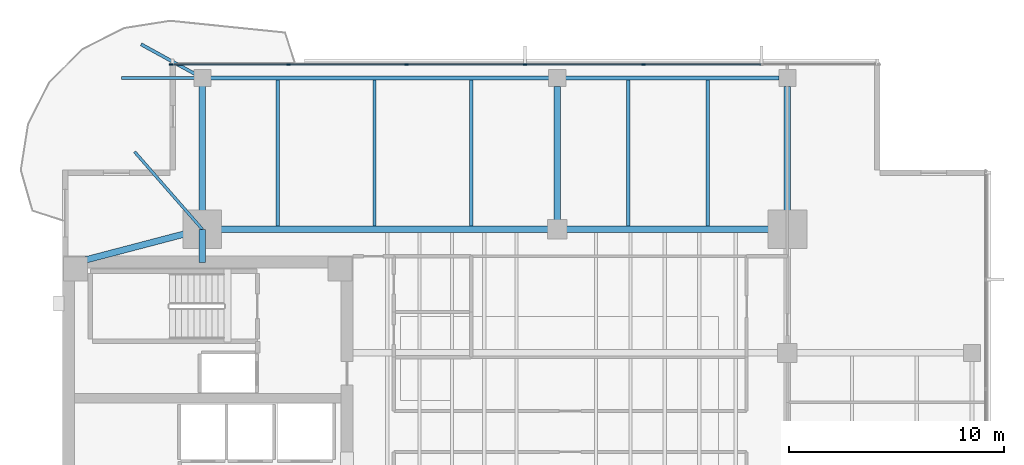
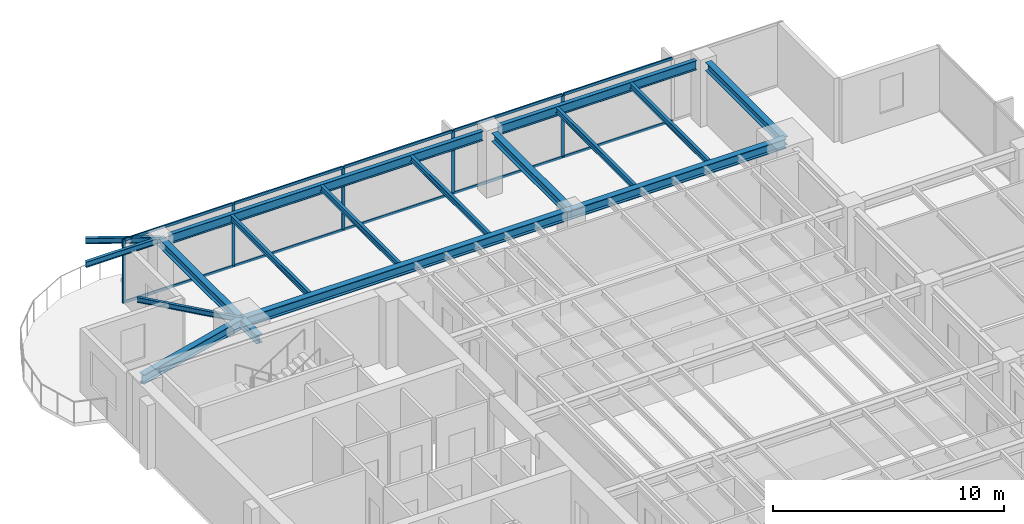
# One storey, part 5 of 14: 17 beams, 15 members, 1 element without a shape of its own.
"""IFC4 building model written with IfcOpenShell, lengths in metres."""

import ifcopenshell
import ifcopenshell.guid

model = None  # the IFC model being written
_history = None  # IfcOwnerHistory: only IFC2X3 demands one
_inside = {}  # id of a spatial element -> (the spatial element, [elements in it])
_under = {}  # id of a project, library or spatial element -> (it, [spatial elements below it])
_declared = {}  # id of a project -> (the project, [libraries it declares])
_typed = {}  # id of a type object -> (the type object, [elements of that type])
_made_of = {}  # id of a material, layer set ... -> (it, [elements and type objects made of it])


def new_model(schema):
    """Start an empty IFC model of exactly this schema.

    Asked for "IFC4X3", IfcOpenShell would pick the latest addendum, in which some entities
    have other attributes; the version numbers below select the first issue.
    IFC2X3 requires an IfcOwnerHistory on every rooted entity: one is made here for all.
    """
    global model, _history
    if schema == "IFC4X3":
        model = ifcopenshell.file(schema_version=(4, 3, 0, 0))
    else:
        model = ifcopenshell.file(schema=schema)
    _inside.clear()
    _under.clear()
    _declared.clear()
    _typed.clear()
    _made_of.clear()
    _history = None
    if model.schema == "IFC2X3":
        org = make("IfcOrganization", Name="unknown")
        user = make(
            "IfcPersonAndOrganization",
            ThePerson=make("IfcPerson", FamilyName="unknown"),
            TheOrganization=org,
        )
        app = make(
            "IfcApplication",
            ApplicationDeveloper=org,
            Version="unknown",
            ApplicationFullName="unknown",
            ApplicationIdentifier="unknown",
        )
        _history = make(
            "IfcOwnerHistory",
            OwningUser=user,
            OwningApplication=app,
            ChangeAction="ADDED",
            CreationDate=0,
        )
    return model


def make(cls, **values):
    """One entity of the class cls with the attributes given. An attribute that is None is left unset."""
    return model.create_entity(
        cls, **{name: value for name, value in values.items() if value is not None}
    )


def rooted(cls, **values):
    """An entity with a GlobalId (a new one), such as an element, a storey or a relation."""
    return make(cls, GlobalId=ifcopenshell.guid.new(), OwnerHistory=_history, **values)


def si_unit(unit_type, name, prefix=None):
    """IfcSIUnit, for example si_unit("LENGTHUNIT", "METRE", prefix="MILLI")."""
    return make("IfcSIUnit", UnitType=unit_type, Prefix=prefix, Name=name)


def assignment(units):
    """IfcUnitAssignment: the units of a project."""
    return None if units is None else make("IfcUnitAssignment", Units=units)


def point(xyz):
    """IfcCartesianPoint."""
    return None if xyz is None else make("IfcCartesianPoint", Coordinates=xyz)


def direction(xyz):
    """IfcDirection."""
    return None if xyz is None else make("IfcDirection", DirectionRatios=xyz)


def frame(location, z_axis=None, x_axis=None):
    """IfcAxis2Placement3D, a coordinate frame: its origin and axes. An axis left out is left unset."""
    return make(
        "IfcAxis2Placement3D",
        Location=point(location),
        Axis=direction(z_axis),
        RefDirection=direction(x_axis),
    )


def frame_2d(location, x_axis=None):
    """IfcAxis2Placement2D, a coordinate frame in the plane: its origin and x axis."""
    return make(
        "IfcAxis2Placement2D", Location=point(location), RefDirection=direction(x_axis)
    )


def origin():
    """The frame at (0, 0, 0) with its axes left unset."""
    return frame((0.0, 0.0, 0.0))


def origin_2d():
    """The frame at (0, 0) in the plane with its x axis left unset."""
    return frame_2d((0.0, 0.0))


def place(relative_to, where):
    """IfcLocalPlacement: puts the frame where relative to a parent placement (None: the world)."""
    return make(
        "IfcLocalPlacement", PlacementRelTo=relative_to, RelativePlacement=where
    )


def context(
    kind, dimensions, precision=None, world=None, true_north=None, identifier=None
):
    """IfcGeometricRepresentationContext, for example the 3D "Model" context."""
    return make(
        "IfcGeometricRepresentationContext",
        ContextIdentifier=identifier,
        ContextType=kind,
        CoordinateSpaceDimension=dimensions,
        Precision=precision,
        WorldCoordinateSystem=world,
        TrueNorth=true_north,
    )


def subcontext(parent, identifier, kind, view, scale=None):
    """IfcGeometricRepresentationSubContext, for example "Body" below "Model"."""
    return make(
        "IfcGeometricRepresentationSubContext",
        ContextIdentifier=identifier,
        ContextType=kind,
        ParentContext=parent,
        TargetScale=scale,
        TargetView=view,
    )


def project(units=None, contexts=None):
    """IfcProject with its units and contexts."""
    return rooted(
        "IfcProject",
        Name="project",
        RepresentationContexts=contexts,
        UnitsInContext=assignment(units),
    )


def spatial(cls, under=None, at=None, **own):
    """A site, building, storey or space (cls), placed at a placement, below another one or the project."""
    s = rooted(cls, ObjectPlacement=at, **own)
    if under is not None:
        _under.setdefault(under.id(), (under, []))[1].append(s)
    return s


def profile(cls, at=None, kind="AREA", **sizes):
    """A parametric profile (cls). Its sizes go by their IFC names, for example OverallWidth=200.0."""
    return make(cls, ProfileType=kind, Position=at, **sizes)


def rectangle(**sizes):
    """IfcRectangleProfileDef."""
    return profile("IfcRectangleProfileDef", **sizes)


def i_section(**sizes):
    """IfcIShapeProfileDef."""
    return profile("IfcIShapeProfileDef", **sizes)


def extrude(swept, where, along, depth):
    """IfcExtrudedAreaSolid: the profile swept, set in the frame where, extruded along a direction by depth."""
    return make(
        "IfcExtrudedAreaSolid",
        SweptArea=swept,
        Position=where,
        ExtrudedDirection=direction(along),
        Depth=depth,
    )


def shape(context_of_items, identifier, shape_type, items):
    """IfcShapeRepresentation: the items that make up one representation, for example the "Body"."""
    return make(
        "IfcShapeRepresentation",
        ContextOfItems=context_of_items,
        RepresentationIdentifier=identifier,
        RepresentationType=shape_type,
        Items=items,
    )


def material(Name=None, Category=None):
    """IfcMaterial."""
    return make("IfcMaterial", Name=Name, Category=Category)


def layer(
    of_material, thickness, ventilated=None, Name=None, Category=None, Priority=None
):
    """IfcMaterialLayer: one layer of a wall or slab, of a material (None: an air gap)."""
    return make(
        "IfcMaterialLayer",
        Material=of_material,
        LayerThickness=thickness,
        IsVentilated=ventilated,
        Name=Name,
        Category=Category,
        Priority=Priority,
    )


def layer_set(layers, Name=None):
    """IfcMaterialLayerSet."""
    return make("IfcMaterialLayerSet", MaterialLayers=layers, LayerSetName=Name)


def material_profile(
    of_material, cross_section, Name=None, Category=None, Priority=None
):
    """IfcMaterialProfile: a cross section and its material."""
    return make(
        "IfcMaterialProfile",
        Name=Name,
        Material=of_material,
        Profile=cross_section,
        Priority=Priority,
        Category=Category,
    )


def profile_set(profiles, Name=None, composite=None):
    """IfcMaterialProfileSet."""
    return make(
        "IfcMaterialProfileSet",
        Name=Name,
        MaterialProfiles=profiles,
        CompositeProfile=composite,
    )


def made_of(thing, what):
    """Note that an element or type object is made of a material, layer set ...; save() writes the relation."""
    if what is not None:
        _made_of.setdefault(what.id(), (what, []))[1].append(thing)
    return thing


def type_object(cls, material=None, **own):
    """A type object (cls), such as IfcWallType, which elements share."""
    return made_of(rooted(cls, **own), material)


def element(
    cls,
    number,
    at=None,
    inside=None,
    cuts=None,
    type_object=None,
    material=None,
    context=None,
    identifier="Body",
    shape_type=None,
    held_by="IfcProductDefinitionShape",
    body=None,
    shapes=None,
    **own,
):
    """One element of the class cls, such as IfcWall. Its Tag is "e" and its number.

    at: its placement. inside: the storey or other place that contains it. cuts: it is an
    opening in that element (IfcRelVoidsElement). A single representation is given by context,
    identifier, shape_type and body (its items); several are given by shapes. held_by: the class
    of the entity that holds the representations. save() writes the other relations.
    """
    e = rooted(cls, Tag="e%d" % number, ObjectPlacement=at, **own)
    if body is not None:
        shapes = [shape(context, identifier, shape_type, body)]
    if shapes is not None:
        e.Representation = make(held_by, Representations=shapes)
    if inside is not None:
        _inside.setdefault(inside.id(), (inside, []))[1].append(e)
    if cuts is not None:
        rooted(
            "IfcRelVoidsElement", RelatingBuildingElement=cuts, RelatedOpeningElement=e
        )
    if type_object is not None:
        _typed.setdefault(type_object.id(), (type_object, []))[1].append(e)
    return made_of(e, material)


def aggregate(whole, parts):
    """IfcRelAggregates: a whole, such as a stair, and the parts it consists of."""
    return rooted("IfcRelAggregates", RelatingObject=whole, RelatedObjects=parts)


def save(model, path):
    """Write the relations noted so far, then the file.

    IfcRelAggregates (storeys below a building ...), IfcRelContainedInSpatialStructure (elements
    in a storey), IfcRelDefinesByType, IfcRelAssociatesMaterial and IfcRelDeclares: one each for
    every whole, place, type object, material and project.
    """
    for whole, parts in _under.values():
        aggregate(whole, parts)
    for where, things in _inside.values():
        rooted(
            "IfcRelContainedInSpatialStructure",
            RelatedElements=things,
            RelatingStructure=where,
        )
    for kind, things in _typed.values():
        rooted("IfcRelDefinesByType", RelatedObjects=things, RelatingType=kind)
    for what, things in _made_of.values():
        rooted("IfcRelAssociatesMaterial", RelatedObjects=things, RelatingMaterial=what)
    for by, libraries in _declared.values():
        rooted("IfcRelDeclares", RelatingContext=by, RelatedDefinitions=libraries)
    model.write(path)


model = new_model("IFC4")

# Units and contexts
model_context = context("Model", 3, precision=1e-05, world=origin(), true_north=direction((0.0, 1.0)))
body_context = subcontext(model_context, "Body", "Model", "MODEL_VIEW")
ifc_project = project(units=[si_unit("LENGTHUNIT", "METRE"), si_unit("AREAUNIT", "SQUARE_METRE"), si_unit("VOLUMEUNIT", "CUBIC_METRE"), si_unit("PLANEANGLEUNIT", "RADIAN"), si_unit("MASSUNIT", "GRAM", prefix="KILO")], contexts=[model_context])

# Site, building, storey
site_placement = place(None, origin())
site = spatial("IfcSite", under=ifc_project, at=site_placement, CompositionType="ELEMENT")
building_placement = place(site_placement, origin())
building = spatial("IfcBuilding", under=site, at=building_placement, Name="Kinhvarn Gate Tower", CompositionType="ELEMENT")
storey_placement = place(building_placement, frame((0.0, 0.0, 202.25)))
storey = spatial("IfcBuildingStorey", under=building, at=storey_placement, Name="L53", CompositionType="ELEMENT", Elevation=202.25)

# Curtain wall, members
ifc_material_1 = material(Name="Anodised aluminium AW-6063", Category="aluminium")
ifc_layer = layer(ifc_material_1, 0.179931640625)
ifc_layer_set = layer_set([ifc_layer], Name="Anodised aluminium AW-6063")
curtain_wall_type = type_object("IfcCurtainWallType", Name="CW-SYS-3", PredefinedType="NOTDEFINED", material=ifc_layer_set)
curtain_wall_placement = place(storey_placement, origin())
curtain_wall = element("IfcCurtainWall", 1, at=curtain_wall_placement, inside=storey, type_object=curtain_wall_type, Name="Curtain Wall CW3 (L53)", PredefinedType="NOTDEFINED")
ifc_material_profile_1 = material_profile(ifc_material_1, rectangle(XDim=0.06494140625, YDim=0.159912109375, at=origin_2d()), Name="ALU 65x160")
ifc_profile_set_1 = profile_set([ifc_material_profile_1], Name="Anodised aluminium AW-6063")
member_type_1 = type_object("IfcMemberType", Name="CW-MUL-160", PredefinedType="MULLION", material=ifc_profile_set_1)
member_1_placement = place(storey_placement, frame((31.5, 45.409912109375, 0.0), z_axis=(0.0, 0.0, 1.0), x_axis=(0.0, -1.0, 0.0)))
member_1 = element("IfcMember", 2, at=member_1_placement, type_object=member_type_1, Name="CW3 mullion 3", PredefinedType="MULLION", context=body_context, shape_type="SweptSolid", body=[
    extrude(rectangle(XDim=0.06494140625, YDim=0.159912109375, at=origin_2d()), origin(), (0.0, 0.0, 1.0), 3.3701171875),
])
member_2_placement = place(storey_placement, frame((26.0, 45.409912109375, 0.0), z_axis=(0.0, 0.0, 1.0), x_axis=(0.0, -1.0, 0.0)))
member_2 = element("IfcMember", 3, at=member_2_placement, type_object=member_type_1, Name="CW3 mullion 4", PredefinedType="MULLION", context=body_context, shape_type="SweptSolid", body=[
    extrude(rectangle(XDim=0.06494140625, YDim=0.159912109375, at=origin_2d()), origin(), (0.0, 0.0, 1.0), 3.3701171875),
])
member_3_placement = place(storey_placement, frame((20.5, 45.409912109375, 0.0), z_axis=(0.0, 0.0, 1.0), x_axis=(0.0, -1.0, 0.0)))
member_3 = element("IfcMember", 4, at=member_3_placement, type_object=member_type_1, Name="CW3 mullion 5", PredefinedType="MULLION", context=body_context, shape_type="SweptSolid", body=[
    extrude(rectangle(XDim=0.06494140625, YDim=0.159912109375, at=origin_2d()), origin(), (0.0, 0.0, 1.0), 3.3701171875),
])
member_4_placement = place(storey_placement, frame((15.0, 45.409912109375, 0.0), z_axis=(0.0, 0.0, 1.0), x_axis=(0.0, -1.0, 0.0)))
member_4 = element("IfcMember", 5, at=member_4_placement, type_object=member_type_1, Name="CW3 mullion 6", PredefinedType="MULLION", context=body_context, shape_type="SweptSolid", body=[
    extrude(rectangle(XDim=0.06494140625, YDim=0.159912109375, at=origin_2d()), origin(), (0.0, 0.0, 1.0), 3.3701171875),
])
member_5_placement = place(storey_placement, frame((9.532470703125, 45.409912109375, 0.0), z_axis=(0.0, 0.0, 1.0), x_axis=(0.0, -1.0, 0.0)))
member_5 = element("IfcMember", 6, at=member_5_placement, type_object=member_type_1, Name="CW3 mullion 7", PredefinedType="MULLION", context=body_context, shape_type="SweptSolid", body=[
    extrude(rectangle(XDim=0.06494140625, YDim=0.159912109375, at=origin_2d()), origin(), (0.0, 0.0, 1.0), 3.3701171875),
])
ifc_material_profile_2 = material_profile(ifc_material_1, rectangle(XDim=0.070068359375, YDim=0.139892578125, at=origin_2d()), Name="ALU 70x140")
ifc_profile_set_2 = profile_set([ifc_material_profile_2], Name="Anodised aluminium AW-6063")
member_type_2 = type_object("IfcMemberType", Name="CW-TRN-140", PredefinedType="USERDEFINED", material=ifc_profile_set_2)
member_6_placement = place(storey_placement, frame((36.967529296875, 45.409912109375, 0.034912109375), z_axis=(-1.0, 0.0, 0.0), x_axis=(0.0, -1.0, 0.0)))
member_6 = element("IfcMember", 7, at=member_6_placement, type_object=member_type_2, Name="CW3 transom 2.1", ObjectType="TRANSOM", PredefinedType="USERDEFINED", context=body_context, shape_type="SweptSolid", body=[
    extrude(rectangle(XDim=0.070068359375, YDim=0.139892578125, at=origin_2d()), origin(), (0.0, 0.0, 1.0), 5.43505859375),
])
member_7_placement = place(storey_placement, frame((36.967529296875, 45.409912109375, 3.3349609375), z_axis=(-1.0, 0.0, 0.0), x_axis=(0.0, -1.0, 0.0)))
member_7 = element("IfcMember", 8, at=member_7_placement, type_object=member_type_2, Name="CW3 transom 2.2", ObjectType="TRANSOM", PredefinedType="USERDEFINED", context=body_context, shape_type="SweptSolid", body=[
    extrude(rectangle(XDim=0.070068359375, YDim=0.139892578125, at=origin_2d()), origin(), (0.0, 0.0, 1.0), 5.43505859375),
])
member_8_placement = place(storey_placement, frame((31.467529296875, 45.409912109375, 0.034912109375), z_axis=(-1.0, 0.0, 0.0), x_axis=(0.0, -1.0, 0.0)))
member_8 = element("IfcMember", 9, at=member_8_placement, type_object=member_type_2, Name="CW3 transom 3.1", ObjectType="TRANSOM", PredefinedType="USERDEFINED", context=body_context, shape_type="SweptSolid", body=[
    extrude(rectangle(XDim=0.070068359375, YDim=0.139892578125, at=origin_2d()), origin(), (0.0, 0.0, 1.0), 5.43505859375),
])
member_9_placement = place(storey_placement, frame((31.467529296875, 45.409912109375, 3.3349609375), z_axis=(-1.0, 0.0, 0.0), x_axis=(0.0, -1.0, 0.0)))
member_9 = element("IfcMember", 10, at=member_9_placement, type_object=member_type_2, Name="CW3 transom 3.2", ObjectType="TRANSOM", PredefinedType="USERDEFINED", context=body_context, shape_type="SweptSolid", body=[
    extrude(rectangle(XDim=0.070068359375, YDim=0.139892578125, at=origin_2d()), origin(), (0.0, 0.0, 1.0), 5.43505859375),
])
member_10_placement = place(storey_placement, frame((25.967529296875, 45.409912109375, 0.034912109375), z_axis=(-1.0, 0.0, 0.0), x_axis=(0.0, -1.0, 0.0)))
member_10 = element("IfcMember", 11, at=member_10_placement, type_object=member_type_2, Name="CW3 transom 4.1", ObjectType="TRANSOM", PredefinedType="USERDEFINED", context=body_context, shape_type="SweptSolid", body=[
    extrude(rectangle(XDim=0.070068359375, YDim=0.139892578125, at=origin_2d()), origin(), (0.0, 0.0, 1.0), 5.43505859375),
])
member_11_placement = place(storey_placement, frame((25.967529296875, 45.409912109375, 3.3349609375), z_axis=(-1.0, 0.0, 0.0), x_axis=(0.0, -1.0, 0.0)))
member_11 = element("IfcMember", 12, at=member_11_placement, type_object=member_type_2, Name="CW3 transom 4.2", ObjectType="TRANSOM", PredefinedType="USERDEFINED", context=body_context, shape_type="SweptSolid", body=[
    extrude(rectangle(XDim=0.070068359375, YDim=0.139892578125, at=origin_2d()), origin(), (0.0, 0.0, 1.0), 5.43505859375),
])
member_12_placement = place(storey_placement, frame((20.467529296875, 45.409912109375, 0.034912109375), z_axis=(-1.0, 0.0, 0.0), x_axis=(0.0, -1.0, 0.0)))
member_12 = element("IfcMember", 13, at=member_12_placement, type_object=member_type_2, Name="CW3 transom 5.1", ObjectType="TRANSOM", PredefinedType="USERDEFINED", context=body_context, shape_type="SweptSolid", body=[
    extrude(rectangle(XDim=0.070068359375, YDim=0.139892578125, at=origin_2d()), origin(), (0.0, 0.0, 1.0), 5.43505859375),
])
member_13_placement = place(storey_placement, frame((20.467529296875, 45.409912109375, 3.3349609375), z_axis=(-1.0, 0.0, 0.0), x_axis=(0.0, -1.0, 0.0)))
member_13 = element("IfcMember", 14, at=member_13_placement, type_object=member_type_2, Name="CW3 transom 5.2", ObjectType="TRANSOM", PredefinedType="USERDEFINED", context=body_context, shape_type="SweptSolid", body=[
    extrude(rectangle(XDim=0.070068359375, YDim=0.139892578125, at=origin_2d()), origin(), (0.0, 0.0, 1.0), 5.43505859375),
])
member_14_placement = place(storey_placement, frame((14.967529296875, 45.409912109375, 0.034912109375), z_axis=(-1.0, 0.0, 0.0), x_axis=(0.0, -1.0, 0.0)))
member_14 = element("IfcMember", 15, at=member_14_placement, type_object=member_type_2, Name="CW3 transom 6.1", ObjectType="TRANSOM", PredefinedType="USERDEFINED", context=body_context, shape_type="SweptSolid", body=[
    extrude(rectangle(XDim=0.070068359375, YDim=0.139892578125, at=origin_2d()), origin(), (0.0, 0.0, 1.0), 5.402587890625),
])
member_15_placement = place(storey_placement, frame((14.967529296875, 45.409912109375, 3.3349609375), z_axis=(-1.0, 0.0, 0.0), x_axis=(0.0, -1.0, 0.0)))
member_15 = element("IfcMember", 16, at=member_15_placement, type_object=member_type_2, Name="CW3 transom 6.2", ObjectType="TRANSOM", PredefinedType="USERDEFINED", context=body_context, shape_type="SweptSolid", body=[
    extrude(rectangle(XDim=0.070068359375, YDim=0.139892578125, at=origin_2d()), origin(), (0.0, 0.0, 1.0), 5.402587890625),
])
aggregate(curtain_wall, [member_1, member_2, member_3, member_4, member_5, member_6, member_7, member_8, member_9, member_10, member_11, member_12, member_13, member_14, member_15])

# Beams
ifc_material_2 = material(Name="Steel S355", Category="steel")
ifc_material_profile_3 = material_profile(ifc_material_2, i_section(OverallWidth=0.300048828125, OverallDepth=0.449951171875, WebThickness=0.013916015625, FlangeThickness=0.02587890625, at=origin_2d()), Name="HEB 450")
ifc_profile_set_3 = profile_set([ifc_material_profile_3], Name="Steel S355")
beam_type_1 = type_object("IfcBeamType", Name="STL-HEB450", PredefinedType="BEAM", material=ifc_profile_set_3)
beam_1_placement = place(storey_placement, frame((11.0, 36.199951171875, 3.14501953125), z_axis=(0.0, 1.0, 0.0), x_axis=(-1.0, 0.0, 0.0)))
element("IfcBeam", 17, at=beam_1_placement, inside=storey, type_object=beam_type_1, Name="Floor Beam PG-13 (L53 MCW-CN)", PredefinedType="BEAM", context=body_context, shape_type="SweptSolid", body=[
    extrude(i_section(OverallWidth=0.300048828125, OverallDepth=0.449951171875, WebThickness=0.013916015625, FlangeThickness=0.02587890625, at=origin_2d()), origin(), (0.0, 0.0, 1.0), 1.550048828125),
])
beam_2_placement = place(storey_placement, frame((11.0, 37.75, 3.14501953125), z_axis=(0.0, 1.0, 0.0), x_axis=(-1.0, 0.0, 0.0)))
element("IfcBeam", 18, at=beam_2_placement, inside=storey, type_object=beam_type_1, Name="Floor Beam PG-13 (L53 MCW-N)", PredefinedType="BEAM", context=body_context, shape_type="SweptSolid", body=[
    extrude(i_section(OverallWidth=0.300048828125, OverallDepth=0.449951171875, WebThickness=0.013916015625, FlangeThickness=0.02587890625, at=origin_2d()), origin(), (0.0, 0.0, 1.0), 7.030029296875),
])
for number, where, z_axis, x_axis, name in (
    (19, (27.5, 37.75, 3.14501953125), (0.0, 1.0, 0.0), (-1.0, 0.0, 0.0), "Floor Beam PG-13 (L53 SP27-N-TIE)"),
    (20, (38.199951171875, 37.75, 3.14501953125), (0.0, 1.0, 0.0), (-1.0, 0.0, 0.0), "Floor Beam PG-13 (L53 MCE-N)"),
):
    element("IfcBeam", number, at=place(storey_placement, frame(where, z_axis=z_axis, x_axis=x_axis)), inside=storey, type_object=beam_type_1, Name=name, PredefinedType="BEAM", context=body_context, shape_type="SweptSolid", body=[
        extrude(i_section(OverallWidth=0.300048828125, OverallDepth=0.449951171875, WebThickness=0.013916015625, FlangeThickness=0.02587890625, at=origin_2d()), origin(), (0.0, 0.0, 1.0), 6.64501953125),
    ])
ifc_material_profile_4 = material_profile(ifc_material_2, i_section(OverallWidth=0.300048828125, OverallDepth=0.5, WebThickness=0.014404296875, FlangeThickness=0.028076171875, at=origin_2d()), Name="HEB 500")
ifc_profile_set_4 = profile_set([ifc_material_profile_4], Name="Steel S355")
beam_type_2 = type_object("IfcBeamType", Name="STL-HEB500", PredefinedType="BEAM", material=ifc_profile_set_4)
beam_3_placement = place(storey_placement, frame((11.0, 37.75, 3.1201171875), z_axis=(1.0, 0.0, 0.0), x_axis=(0.0, 1.0, 0.0)))
element("IfcBeam", 21, at=beam_3_placement, inside=storey, type_object=beam_type_2, Name="Floor Beam PG-14 (L53 MG-N1)", PredefinedType="BEAM", context=body_context, shape_type="SweptSolid", body=[
    extrude(i_section(OverallWidth=0.300048828125, OverallDepth=0.5, WebThickness=0.014404296875, FlangeThickness=0.028076171875, at=origin_2d()), origin(), (0.0, 0.0, 1.0), 16.5),
])
beam_4_placement = place(storey_placement, frame((27.5, 37.75, 3.1201171875), z_axis=(1.0, 0.0, 0.0), x_axis=(0.0, 1.0, 0.0)))
element("IfcBeam", 22, at=beam_4_placement, inside=storey, type_object=beam_type_2, Name="Floor Beam PG-14 (L53 MG-N2)", PredefinedType="BEAM", context=body_context, shape_type="SweptSolid", body=[
    extrude(i_section(OverallWidth=0.300048828125, OverallDepth=0.5, WebThickness=0.014404296875, FlangeThickness=0.028076171875, at=origin_2d()), origin(), (0.0, 0.0, 1.0), 10.699951171875),
])
beam_5_placement = place(storey_placement, frame((5.10009765625, 36.199951171875, 3.1201171875), z_axis=(0.967177623957, 0.254101246979, 0.0), x_axis=(-0.254101246979, 0.967177623957, 0.0)))
element("IfcBeam", 23, at=beam_5_placement, inside=storey, type_object=beam_type_2, Name="Floor Beam PG-14 (L53 MG-NW-DIAG)", PredefinedType="BEAM", context=body_context, shape_type="SweptSolid", body=[
    extrude(i_section(OverallWidth=0.300048828125, OverallDepth=0.5, WebThickness=0.014404296875, FlangeThickness=0.028076171875, at=origin_2d()), origin(), (0.0, 0.0, 1.0), 6.10009765625),
])
ifc_material_profile_5 = material_profile(ifc_material_2, i_section(OverallWidth=0.135009765625, OverallDepth=0.27001953125, WebThickness=0.006591796875, FlangeThickness=0.01025390625, at=origin_2d()), Name="IPE 270")
ifc_profile_set_5 = profile_set([ifc_material_profile_5], Name="Steel S355")
beam_type_3 = type_object("IfcBeamType", Name="STL-IPE270", PredefinedType="JOIST", material=ifc_profile_set_5)
beam_6_placement = place(storey_placement, frame((11.0, 37.75, 3.235107421875), z_axis=(-0.658482928045, 0.752595664001, 0.0), x_axis=(-0.752595664001, -0.658482928045, 0.0)))
element("IfcBeam", 24, at=beam_6_placement, inside=storey, type_object=beam_type_3, Name="Floor Joist SB-01 (L53 BAL-B3-L54)", PredefinedType="JOIST", context=body_context, shape_type="SweptSolid", body=[
    extrude(i_section(OverallWidth=0.135009765625, OverallDepth=0.27001953125, WebThickness=0.006591796875, FlangeThickness=0.01025390625, at=origin_2d()), origin(), (0.0, 0.0, 1.0), 4.78369140625),
])
ifc_material_profile_6 = material_profile(ifc_material_2, i_section(OverallWidth=0.14990234375, OverallDepth=0.300048828125, WebThickness=0.007080078125, FlangeThickness=0.0107421875, at=origin_2d()), Name="IPE 300")
ifc_profile_set_6 = profile_set([ifc_material_profile_6], Name="Steel S355")
beam_type_4 = type_object("IfcBeamType", Name="STL-IPE300", PredefinedType="JOIST", material=ifc_profile_set_6)
for number, where, z_axis, x_axis, name in (
    (25, (14.5, 37.89990234375, 3.219970703125), (0.0, 1.0, 0.0), (-1.0, 0.0, 0.0), "Floor Joist SB-02 (L53 JN-X145)"),
    (26, (19.0, 37.89990234375, 3.219970703125), (0.0, 1.0, 0.0), (-1.0, 0.0, 0.0), "Floor Joist SB-02 (L53 JN-X190)"),
    (27, (23.5, 37.89990234375, 3.219970703125), (0.0, 1.0, 0.0), (-1.0, 0.0, 0.0), "Floor Joist SB-02 (L53 JN-X235)"),
    (28, (30.800048828125, 37.89990234375, 3.219970703125), (0.0, 1.0, 0.0), (-1.0, 0.0, 0.0), "Floor Joist SB-02 (L53 JN-X308)"),
    (29, (34.5, 37.89990234375, 3.219970703125), (0.0, 1.0, 0.0), (-1.0, 0.0, 0.0), "Floor Joist SB-02 (L53 JN-X345)"),
):
    element("IfcBeam", number, at=place(storey_placement, frame(where, z_axis=z_axis, x_axis=x_axis)), inside=storey, type_object=beam_type_4, Name=name, PredefinedType="JOIST", context=body_context, shape_type="SweptSolid", body=[
        extrude(i_section(OverallWidth=0.14990234375, OverallDepth=0.300048828125, WebThickness=0.007080078125, FlangeThickness=0.0107421875, at=origin_2d()), origin(), (0.0, 0.0, 1.0), 6.780029296875),
    ])
beam_7_placement = place(storey_placement, frame((11.0, 44.780029296875, 3.219970703125), z_axis=(-1.0, 0.0, 0.0), x_axis=(0.0, -1.0, 0.0)))
element("IfcBeam", 30, at=beam_7_placement, inside=storey, type_object=beam_type_4, Name="Floor Joist SB-02 (L53 BAL-B1-L54)", PredefinedType="JOIST", context=body_context, shape_type="SweptSolid", body=[
    extrude(i_section(OverallWidth=0.14990234375, OverallDepth=0.300048828125, WebThickness=0.007080078125, FlangeThickness=0.0107421875, at=origin_2d()), origin(), (0.0, 0.0, 1.0), 3.75),
])
beam_8_placement = place(storey_placement, frame((11.0, 44.780029296875, 3.219970703125), z_axis=(-0.875889381738, 0.482511959394, 0.0), x_axis=(-0.482511959394, -0.875889381738, 0.0)))
element("IfcBeam", 31, at=beam_8_placement, inside=storey, type_object=beam_type_4, Name="Floor Joist SB-02 (L53 BAL-B2-L54)", PredefinedType="JOIST", context=body_context, shape_type="SweptSolid", body=[
    extrude(i_section(OverallWidth=0.14990234375, OverallDepth=0.300048828125, WebThickness=0.007080078125, FlangeThickness=0.0107421875, at=origin_2d()), origin(), (0.0, 0.0, 1.0), 3.25390625),
])
ifc_material_profile_7 = material_profile(ifc_material_2, i_section(OverallWidth=0.199951171875, OverallDepth=0.5, WebThickness=0.01025390625, FlangeThickness=0.01611328125, at=origin_2d()), Name="IPE 500")
ifc_profile_set_7 = profile_set([ifc_material_profile_7], Name="Steel S355")
beam_type_5 = type_object("IfcBeamType", Name="STL-IPE500", PredefinedType="SPANDREL", material=ifc_profile_set_7)
beam_9_placement = place(storey_placement, frame((11.385009765625, 44.780029296875, 3.1201171875), z_axis=(1.0, 0.0, 0.0), x_axis=(0.0, 1.0, 0.0)))
element("IfcBeam", 32, at=beam_9_placement, inside=storey, type_object=beam_type_5, Name="Floor Spandrel SB-07 (L53 SP-N1)", PredefinedType="SPANDREL", context=body_context, shape_type="SweptSolid", body=[
    extrude(i_section(OverallWidth=0.199951171875, OverallDepth=0.5, WebThickness=0.01025390625, FlangeThickness=0.01611328125, at=origin_2d()), origin(), (0.0, 0.0, 1.0), 15.72998046875),
])
beam_10_placement = place(storey_placement, frame((27.885009765625, 44.780029296875, 3.1201171875), z_axis=(1.0, 0.0, 0.0), x_axis=(0.0, 1.0, 0.0)))
element("IfcBeam", 33, at=beam_10_placement, inside=storey, type_object=beam_type_5, Name="Floor Spandrel SB-07 (L53 SP-N2)", PredefinedType="SPANDREL", context=body_context, shape_type="SweptSolid", body=[
    extrude(i_section(OverallWidth=0.199951171875, OverallDepth=0.5, WebThickness=0.01025390625, FlangeThickness=0.01611328125, at=origin_2d()), origin(), (0.0, 0.0, 1.0), 9.929931640625),
])

save(model, "model.ifc")
